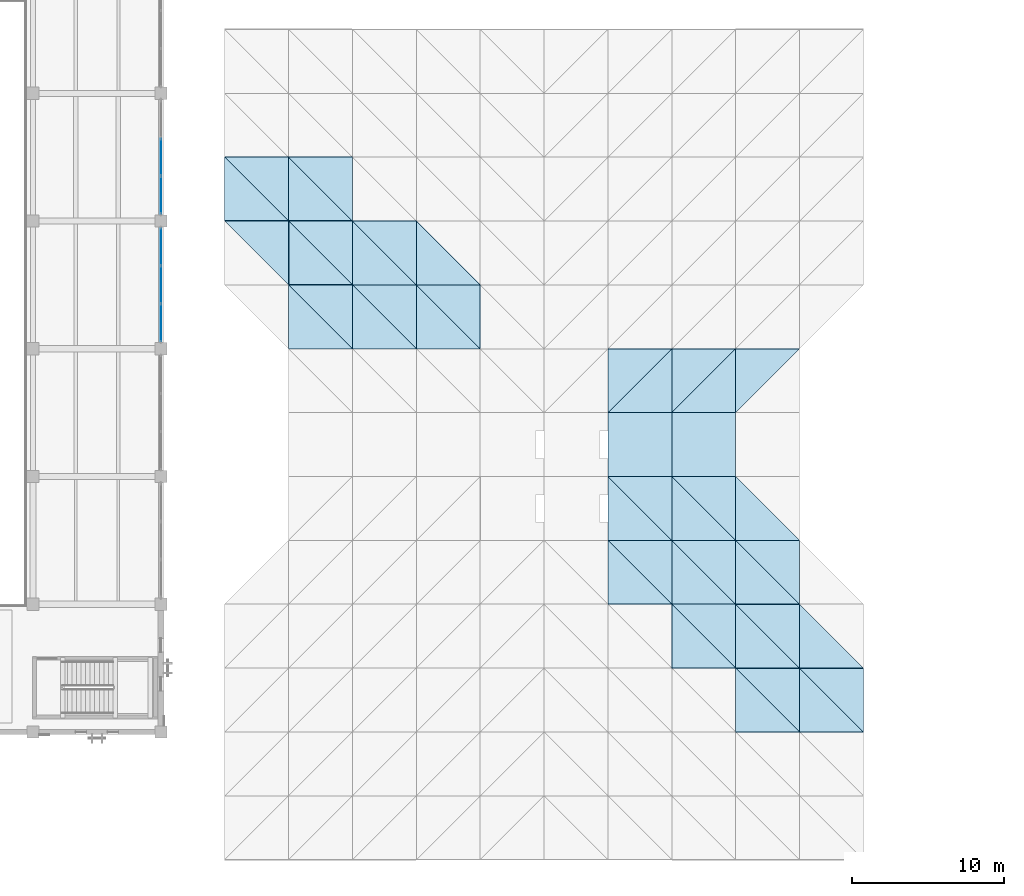
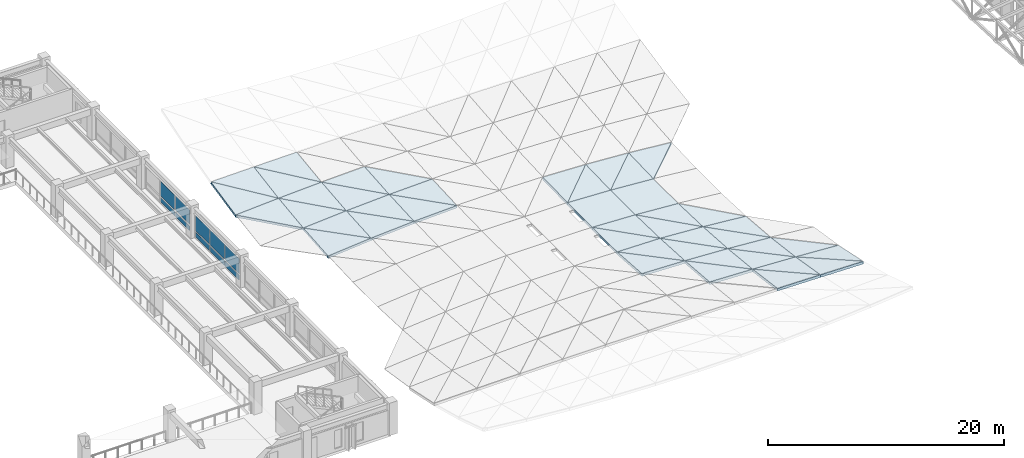
# One storey, part 64 of 123: 43 slabs, 10 plates, 2 elements without a shape of their own.
"""IFC4 building model written with IfcOpenShell, lengths in metres."""

from ifc_helpers import new_model, si_unit, direction, frame, origin, origin_2d, place, context, subcontext, project, spatial, polyline, rectangle, outline, extrude, material, layer, layer_set, type_object, element, aggregate, save


model = new_model("IFC4")

# Units and contexts
model_context = context("Model", 3, precision=1e-05, world=origin(), true_north=direction((0.0, 1.0)))
body_context = subcontext(model_context, "Body", "Model", "MODEL_VIEW")
ifc_project = project(units=[si_unit("LENGTHUNIT", "METRE"), si_unit("AREAUNIT", "SQUARE_METRE"), si_unit("VOLUMEUNIT", "CUBIC_METRE"), si_unit("PLANEANGLEUNIT", "RADIAN"), si_unit("MASSUNIT", "GRAM", prefix="KILO")], contexts=[model_context])

# Site, building, storey
site_placement = place(None, origin())
site = spatial("IfcSite", under=ifc_project, at=site_placement, CompositionType="ELEMENT")
building_placement = place(site_placement, origin())
building = spatial("IfcBuilding", under=site, at=building_placement, Name="Cumbredor Promenade Congress Hotel", CompositionType="ELEMENT")
storey_placement = place(building_placement, frame((0.0, 0.0, 11.760009765625)))
storey = spatial("IfcBuildingStorey", under=building, at=storey_placement, Name="L03", CompositionType="ELEMENT", Elevation=11.760009765625)

# Curtain wall, plates
ifc_material_1 = material(Name="Thermally broken anodized aluminium and low-E glass", Category="aluminium")
curtain_wall_type = type_object("IfcCurtainWallType", Name="Unitised Bronze Curtain Wall CW-01", PredefinedType="NOTDEFINED", material=ifc_material_1)
curtain_wall_1_placement = place(storey_placement, origin())
curtain_wall_1 = element("IfcCurtainWall", 1, at=curtain_wall_1_placement, inside=storey, type_object=curtain_wall_type, Name="L03 Plenary Congress Hall East Curtain Wall 4", PredefinedType="NOTDEFINED")
ifc_material_2 = material(Name="Laminated low-E solar-control glass", Category="glass")
ifc_layer_1 = layer(ifc_material_2, 0.031982421875, Name="Laminated low-E solar-control glass", Category="glass")
ifc_layer_set_1 = layer_set([ifc_layer_1], Name="Laminated low-E solar-control glass")
plate_type_1 = type_object("IfcPlateType", Name="Glazed Vision Panel PNL-02", PredefinedType="CURTAIN_PANEL", material=ifc_layer_set_1)
plate_1_placement = place(storey_placement, frame((67.199951171875, 35.303466796875, 0.794921875), z_axis=(0.0, 0.0, 1.0), x_axis=(0.0, 1.0, 0.0)))
plate_1 = element("IfcPlate", 2, at=plate_1_placement, type_object=plate_type_1, Name="L03 Plenary Congress Hall East Curtain Wall 4 Glazing Panel 1.2", PredefinedType="CURTAIN_PANEL", context=body_context, shape_type="SweptSolid", body=[
    extrude(rectangle(XDim=2.421630859375, YDim=0.031982421875, at=origin_2d()), origin(), (0.0, 0.0, 1.0), 1.550048828125),
])
plate_2_placement = place(storey_placement, frame((67.199951171875, 37.800048828125, 0.794921875), z_axis=(0.0, 0.0, 1.0), x_axis=(0.0, 1.0, 0.0)))
plate_2 = element("IfcPlate", 3, at=plate_2_placement, type_object=plate_type_1, Name="L03 Plenary Congress Hall East Curtain Wall 4 Glazing Panel 2.2", PredefinedType="CURTAIN_PANEL", context=body_context, shape_type="SweptSolid", body=[
    extrude(rectangle(XDim=2.421630859375, YDim=0.031982421875, at=origin_2d()), origin(), (0.0, 0.0, 1.0), 1.550048828125),
])
plate_3_placement = place(storey_placement, frame((67.199951171875, 40.296630859375, 0.794921875), z_axis=(0.0, 0.0, 1.0), x_axis=(0.0, 1.0, 0.0)))
plate_3 = element("IfcPlate", 4, at=plate_3_placement, type_object=plate_type_1, Name="L03 Plenary Congress Hall East Curtain Wall 4 Glazing Panel 3.2", PredefinedType="CURTAIN_PANEL", context=body_context, shape_type="SweptSolid", body=[
    extrude(rectangle(XDim=2.421630859375, YDim=0.031982421875, at=origin_2d()), origin(), (0.0, 0.0, 1.0), 1.550048828125),
])

curtain_wall_2_placement = place(storey_placement, origin())
curtain_wall_2 = element("IfcCurtainWall", 5, at=curtain_wall_2_placement, inside=storey, type_object=curtain_wall_type, Name="L03 Plenary Congress Hall East Curtain Wall 5", PredefinedType="NOTDEFINED")
ifc_layer_2 = layer(ifc_material_2, 0.028076171875, Name="Laminated low-E solar-control glass", Category="glass")
ifc_layer_set_2 = layer_set([ifc_layer_2], Name="Laminated low-E solar-control glass")
plate_type_2 = type_object("IfcPlateType", Name="Glazed Vision Panel PNL-03", PredefinedType="CURTAIN_PANEL", material=ifc_layer_set_2)
plate_4_placement = place(storey_placement, frame((67.199951171875, 43.703369140625, 0.81005859375), z_axis=(0.0, 0.0, 1.0), x_axis=(0.0, 1.0, 0.0)))
plate_4 = element("IfcPlate", 6, at=plate_4_placement, type_object=plate_type_2, Name="L03 Plenary Congress Hall East Curtain Wall 5 Glazing Panel 1.2", PredefinedType="CURTAIN_PANEL", context=body_context, shape_type="SweptSolid", body=[
    extrude(rectangle(XDim=2.416748046875, YDim=0.028076171875, at=origin_2d()), origin(), (0.0, 0.0, 1.0), 1.5),
])
plate_5_placement = place(storey_placement, frame((67.199951171875, 46.199951171875, 0.81005859375), z_axis=(0.0, 0.0, 1.0), x_axis=(0.0, 1.0, 0.0)))
plate_5 = element("IfcPlate", 7, at=plate_5_placement, type_object=plate_type_2, Name="L03 Plenary Congress Hall East Curtain Wall 5 Glazing Panel 2.2", PredefinedType="CURTAIN_PANEL", context=body_context, shape_type="SweptSolid", body=[
    extrude(rectangle(XDim=2.41650390625, YDim=0.028076171875, at=origin_2d()), origin(), (0.0, 0.0, 1.0), 1.5),
])
ifc_material_3 = material(Name="Thermally broken anodized aluminium", Category="aluminium")
ifc_layer_3 = layer(ifc_material_3, 0.0400390625, Name="Thermally broken anodized aluminium", Category="aluminium")
ifc_layer_set_3 = layer_set([ifc_layer_3], Name="Thermally broken anodized aluminium")
plate_type_3 = type_object("IfcPlateType", Name="Insulated Spandrel Panel PNL-05", PredefinedType="CURTAIN_PANEL", material=ifc_layer_set_3)
plate_6_placement = place(storey_placement, frame((67.199951171875, 43.703369140625, 0.18017578125), z_axis=(0.0, 0.0, 1.0), x_axis=(0.0, 1.0, 0.0)))
plate_6 = element("IfcPlate", 8, at=plate_6_placement, type_object=plate_type_3, Name="L03 Plenary Congress Hall East Curtain Wall 5 Spandrel Panel 1.1", PredefinedType="CURTAIN_PANEL", context=body_context, shape_type="SweptSolid", body=[
    extrude(rectangle(XDim=2.416748046875, YDim=0.0400390625, at=origin_2d()), origin(), (0.0, 0.0, 1.0), 0.449951171875),
])
plate_7_placement = place(storey_placement, frame((67.199951171875, 46.199951171875, 0.18017578125), z_axis=(0.0, 0.0, 1.0), x_axis=(0.0, 1.0, 0.0)))
plate_7 = element("IfcPlate", 9, at=plate_7_placement, type_object=plate_type_3, Name="L03 Plenary Congress Hall East Curtain Wall 5 Spandrel Panel 2.1", PredefinedType="CURTAIN_PANEL", context=body_context, shape_type="SweptSolid", body=[
    extrude(rectangle(XDim=2.41650390625, YDim=0.0400390625, at=origin_2d()), origin(), (0.0, 0.0, 1.0), 0.449951171875),
])
aggregate(curtain_wall_2, [plate_6, plate_4, plate_7, plate_5])

# Plate
ifc_layer_4 = layer(ifc_material_3, 0.0400390625, Name="Thermally broken anodized aluminium", Category="aluminium")
ifc_layer_set_4 = layer_set([ifc_layer_4], Name="Thermally broken anodized aluminium")
plate_type_4 = type_object("IfcPlateType", Name="Insulated Spandrel Panel PNL-06", PredefinedType="CURTAIN_PANEL", material=ifc_layer_set_4)
plate_8_placement = place(storey_placement, frame((67.199951171875, 35.303466796875, 0.14501953125), z_axis=(0.0, 0.0, 1.0), x_axis=(0.0, 1.0, 0.0)))
plate_8 = element("IfcPlate", 10, at=plate_8_placement, type_object=plate_type_4, Name="L03 Plenary Congress Hall East Curtain Wall 4 Spandrel Panel 1.1", PredefinedType="CURTAIN_PANEL", context=body_context, shape_type="SweptSolid", body=[
    extrude(rectangle(XDim=2.421630859375, YDim=0.0400390625, at=origin_2d()), origin(), (0.0, 0.0, 1.0), 0.5),
])

plate_9_placement = place(storey_placement, frame((67.199951171875, 37.800048828125, 0.14501953125), z_axis=(0.0, 0.0, 1.0), x_axis=(0.0, 1.0, 0.0)))
plate_9 = element("IfcPlate", 11, at=plate_9_placement, type_object=plate_type_4, Name="L03 Plenary Congress Hall East Curtain Wall 4 Spandrel Panel 2.1", PredefinedType="CURTAIN_PANEL", context=body_context, shape_type="SweptSolid", body=[
    extrude(rectangle(XDim=2.421630859375, YDim=0.0400390625, at=origin_2d()), origin(), (0.0, 0.0, 1.0), 0.5),
])

plate_10_placement = place(storey_placement, frame((67.199951171875, 40.296630859375, 0.14501953125), z_axis=(0.0, 0.0, 1.0), x_axis=(0.0, 1.0, 0.0)))
plate_10 = element("IfcPlate", 12, at=plate_10_placement, type_object=plate_type_4, Name="L03 Plenary Congress Hall East Curtain Wall 4 Spandrel Panel 3.1", PredefinedType="CURTAIN_PANEL", context=body_context, shape_type="SweptSolid", body=[
    extrude(rectangle(XDim=2.421630859375, YDim=0.0400390625, at=origin_2d()), origin(), (0.0, 0.0, 1.0), 0.5),
])

aggregate(curtain_wall_1, [plate_8, plate_1, plate_9, plate_2, plate_10, plate_3])

# Slabs
ifc_material_4 = material(Name="Concrete C40/50", Category="concrete")
ifc_layer_5 = layer(ifc_material_4, 0.2451171875, Name="Concrete C40/50", Category="concrete")
ifc_layer_set_5 = layer_set([ifc_layer_5], Name="Concrete C40/50")
slab_type = type_object("IfcSlabType", Name="Spa Catenary Roof Deck 245mm", PredefinedType="ROOF", material=ifc_layer_set_5)
slab_1_placement = place(storey_placement, frame((75.60009765625, 37.800048828125, 0.33154296875), z_axis=(-0.060844105391, -0.12480386787, 0.990314086239), x_axis=(0.0, 0.992152265457, 0.125035523543)))
element("IfcSlab", 13, at=slab_1_placement, inside=storey, type_object=slab_type, Name="Thermal Spa and Hydrotherapy Pavilion Sweeping Roof Deck Facet 1.10.2", PredefinedType="ROOF", context=body_context, shape_type="SweptSolid", body=[
    extrude(outline(polyline([(0.0, 0.0), (4.233171981861705, -6.938893903907228e-18), (4.200905734697389, 4.207991537801801), (0.0, 0.0)])), origin(), (0.0, 0.0, -1.0), 0.2451171875),
])
slab_2_placement = place(storey_placement, frame((71.39990234375, 42.0, 0.602783203125), z_axis=(-0.059996569597, -0.20690653581, 0.976519378751), x_axis=(0.998117938936, 0.0, 0.06132356786)))
element("IfcSlab", 14, at=slab_2_placement, inside=storey, type_object=slab_type, Name="Thermal Spa and Hydrotherapy Pavilion Sweeping Roof Deck Facet 1.11.1", PredefinedType="ROOF", context=body_context, shape_type="SweptSolid", body=[
    extrude(outline(polyline([(0.0, 0.0), (4.208115242352285, 0.0), (0.054571387902316665, 4.292845281437308), (0.0, 0.0)])), origin(), (0.0, 0.0, -1.0), 0.2451171875),
])
slab_3_placement = place(storey_placement, frame((75.60009765625, 42.0, 0.86083984375), z_axis=(-0.017423144155, -0.165758756263, 0.98601240802), x_axis=(0.0, 0.986162102, 0.16578392135)))
element("IfcSlab", 15, at=slab_3_placement, inside=storey, type_object=slab_type, Name="Thermal Spa and Hydrotherapy Pavilion Sweeping Roof Deck Facet 1.11.2", PredefinedType="ROOF", context=body_context, shape_type="SweptSolid", body=[
    extrude(outline(polyline([(0.0, 0.0), (4.258885190736528, 0.0), (4.246580915323828, 4.20083297582814), (0.0, 0.0)])), origin(), (0.0, 0.0, -1.0), 0.2451171875),
])
slab_4_placement = place(storey_placement, frame((75.60009765625, 33.60009765625, -0.021484375), z_axis=(-0.089767614884, -0.083421575271, 0.992462904142), x_axis=(0.995934387325, 0.0, 0.090081608247)))
element("IfcSlab", 16, at=slab_4_placement, inside=storey, type_object=slab_type, Name="Thermal Spa and Hydrotherapy Pavilion Sweeping Roof Deck Facet 2.9.1", PredefinedType="ROOF", context=body_context, shape_type="SweptSolid", body=[
    extrude(outline(polyline([(0.0, 0.0), (4.2170962518499735, 0.0), (0.03180127088024675, 4.21464195759732), (0.0, 0.0)])), origin(), (0.0, 0.0, -1.0), 0.2451171875),
])
slab_5_placement = place(storey_placement, frame((79.800048828125, 33.60009765625, 0.3583984375), z_axis=(-0.073000075678, -0.066637153076, 0.995103250312), x_axis=(0.0, 0.997765352938, 0.066815420949)))
element("IfcSlab", 17, at=slab_5_placement, inside=storey, type_object=slab_type, Name="Thermal Spa and Hydrotherapy Pavilion Sweeping Roof Deck Facet 2.9.2", PredefinedType="ROOF", context=body_context, shape_type="SweptSolid", body=[
    extrude(outline(polyline([(0.0, 0.0), (4.209357600469957, 3.469446951953614e-18), (4.188771403878756, 4.21118689142595), (0.0, 0.0)])), origin(), (0.0, 0.0, -1.0), 0.2451171875),
])
slab_6_placement = place(storey_placement, frame((75.60009765625, 37.800048828125, 0.33154296875), z_axis=(-0.072591572305, -0.124705648778, 0.989534721368), x_axis=(0.997320018789, 0.0, 0.073162696257)))
element("IfcSlab", 18, at=slab_6_placement, inside=storey, type_object=slab_type, Name="Thermal Spa and Hydrotherapy Pavilion Sweeping Roof Deck Facet 2.10.1", PredefinedType="ROOF", context=body_context, shape_type="SweptSolid", body=[
    extrude(outline(polyline([(0.0, 0.0), (4.211237208470671, 0.0), (0.038724786495465104, 4.232994852221041), (0.0, 0.0)])), origin(), (0.0, 0.0, -1.0), 0.2451171875),
])
slab_7_placement = place(storey_placement, frame((79.800048828125, 37.800048828125, 0.6396484375), z_axis=(-0.047546844319, -0.099888813886, 0.993861923235), x_axis=(0.0, 0.994987244627, 0.100001915129)))
element("IfcSlab", 19, at=slab_7_placement, inside=storey, type_object=slab_type, Name="Thermal Spa and Hydrotherapy Pavilion Sweeping Roof Deck Facet 2.10.2", PredefinedType="ROOF", context=body_context, shape_type="SweptSolid", body=[
    extrude(outline(polyline([(0.0, 0.0), (4.22111056654717, 0.0), (4.2010174083071865, 4.204706656304005), (0.0, 0.0)])), origin(), (0.0, 0.0, -1.0), 0.2451171875),
])
slab_8_placement = place(storey_placement, frame((75.60009765625, 42.0, 0.86083984375), z_axis=(-0.047126063418, -0.165599727101, 0.985066426456), x_axis=(0.998857604206, 0.0, 0.047785840159)))
element("IfcSlab", 20, at=slab_8_placement, inside=storey, type_object=slab_type, Name="Thermal Spa and Hydrotherapy Pavilion Sweeping Roof Deck Facet 2.11.1", PredefinedType="ROOF", context=body_context, shape_type="SweptSolid", body=[
    extrude(outline(polyline([(0.0, 0.0), (4.204754665919911, 0.0), (0.033739416440646576, 4.258751544719785), (0.0, 0.0)])), origin(), (0.0, 0.0, -1.0), 0.2451171875),
])
slab_9_placement = place(storey_placement, frame((79.800048828125, 42.0, 1.061767578125), z_axis=(-0.01359577095, -0.132789203556, 0.991051049357), x_axis=(0.0, 0.991142657467, 0.132801477967)))
element("IfcSlab", 21, at=slab_9_placement, inside=storey, type_object=slab_type, Name="Thermal Spa and Hydrotherapy Pavilion Sweeping Roof Deck Facet 2.11.2", PredefinedType="ROOF", context=body_context, shape_type="SweptSolid", body=[
    extrude(outline(polyline([(0.0, 0.0), (4.237484019314049, 0.0), (4.229832371657768, 4.200339395658134), (0.0, 0.0)])), origin(), (0.0, 0.0, -1.0), 0.2451171875),
])
slab_10_placement = place(storey_placement, frame((79.800048828125, 33.60009765625, 0.3583984375), z_axis=(-0.064246438224, -0.066677384535, 0.995704033118), x_axis=(0.997924828039, 0.0, 0.064389731973)))
element("IfcSlab", 22, at=slab_10_placement, inside=storey, type_object=slab_type, Name="Thermal Spa and Hydrotherapy Pavilion Sweeping Roof Deck Facet 3.9.1", PredefinedType="ROOF", context=body_context, shape_type="SweptSolid", body=[
    extrude(outline(polyline([(0.0, 0.0), (4.208684916807379, 0.0), (0.01810961211727026, 4.209318644458167), (0.0, 0.0)])), origin(), (0.0, 0.0, -1.0), 0.2451171875),
])
slab_11_placement = place(storey_placement, frame((84.0, 33.60009765625, 0.62939453125), z_axis=(-0.052282348828, -0.054716781922, 0.997132202758), x_axis=(0.0, 0.998497805514, 0.054791718212)))
element("IfcSlab", 23, at=slab_11_placement, inside=storey, type_object=slab_type, Name="Thermal Spa and Hydrotherapy Pavilion Sweeping Roof Deck Facet 3.9.2", PredefinedType="ROOF", context=body_context, shape_type="SweptSolid", body=[
    extrude(outline(polyline([(0.0, 0.0), (4.206269807187926, 1.734723475976807e-18), (4.1942038575230285, 4.205703132224231), (0.0, 0.0)])), origin(), (0.0, 0.0, -1.0), 0.2451171875),
])
slab_12_placement = place(storey_placement, frame((79.800048828125, 37.800048828125, 0.6396484375), z_axis=(-0.052099032144, -0.099866104852, 0.993635975572), x_axis=(0.998628232976, 0.0, 0.052360789754)))
element("IfcSlab", 24, at=slab_12_placement, inside=storey, type_object=slab_type, Name="Thermal Spa and Hydrotherapy Pavilion Sweeping Roof Deck Facet 3.10.1", PredefinedType="ROOF", context=body_context, shape_type="SweptSolid", body=[
    extrude(outline(polyline([(0.0, 0.0), (4.2057204404884105, 0.0), (0.022102491573553942, 4.221052699846617), (0.0, 0.0)])), origin(), (0.0, 0.0, -1.0), 0.2451171875),
])
slab_13_placement = place(storey_placement, frame((84.0, 37.800048828125, 0.85986328125), z_axis=(-0.033987624499, -0.081871381671, 0.996063209964), x_axis=(0.0, 0.996639014372, 0.081918709895)))
element("IfcSlab", 25, at=slab_13_placement, inside=storey, type_object=slab_type, Name="Thermal Spa and Hydrotherapy Pavilion Sweeping Roof Deck Facet 3.10.2", PredefinedType="ROOF", context=body_context, shape_type="SweptSolid", body=[
    extrude(outline(polyline([(0.0, 0.0), (4.214114750986205, 0.0), (4.202374935871867, 4.202379080440135), (0.0, 0.0)])), origin(), (0.0, 0.0, -1.0), 0.2451171875),
])
slab_14_placement = place(storey_placement, frame((84.0, 33.60009765625, 0.62939453125), z_axis=(-0.038685084273, -0.054750703979, 0.997750381944), x_axis=(0.999249200496, 0.0, 0.038743196927)))
element("IfcSlab", 26, at=slab_14_placement, inside=storey, type_object=slab_type, Name="Thermal Spa and Hydrotherapy Pavilion Sweeping Roof Deck Facet 4.9.1", PredefinedType="ROOF", context=body_context, shape_type="SweptSolid", body=[
    extrude(outline(polyline([(0.0, 0.0), (4.203106862422566, 0.0), (0.008929096166711269, 4.206260329806323), (0.0, 0.0)])), origin(), (0.0, 0.0, -1.0), 0.2451171875),
])
slab_15_placement = place(storey_placement, frame((88.199951171875, 33.60009765625, 0.792236328125), z_axis=(-0.031339133203, -0.047414947828, 0.998383534246), x_axis=(0.0, 0.998874172518, 0.047438249081)))
element("IfcSlab", 27, at=slab_15_placement, inside=storey, type_object=slab_type, Name="Thermal Spa and Hydrotherapy Pavilion Sweeping Roof Deck Facet 4.9.2", PredefinedType="ROOF", context=body_context, shape_type="SweptSolid", body=[
    extrude(outline(polyline([(0.0, 0.0), (4.204684921711812, -8.673617379884035e-19), (4.198430855670806, 4.202015165037919), (0.0, 0.0)])), origin(), (0.0, 0.0, -1.0), 0.2451171875),
])
slab_16_placement = place(storey_placement, frame((84.0, 37.800048828125, 0.85986328125), z_axis=(-0.031269074977, -0.081878651885, 0.996151660801), x_axis=(0.999507701685, 0.0, 0.031374420677)))
element("IfcSlab", 28, at=slab_16_placement, inside=storey, type_object=slab_type, Name="Thermal Spa and Hydrotherapy Pavilion Sweeping Roof Deck Facet 4.10.1", PredefinedType="ROOF", context=body_context, shape_type="SweptSolid", body=[
    extrude(outline(polyline([(0.0, 0.0), (4.202019819152533, 1.734723475976807e-18), (0.010830915731824441, 4.214100832413), (0.0, 0.0)])), origin(), (0.0, 0.0, -1.0), 0.2451171875),
])
slab_17_placement = place(storey_placement, frame((96.60009765625, 16.800048828125, 0.99169921875), z_axis=(0.031295126423, 0.071051527769, 0.99698159234), x_axis=(0.999507701685, 0.0, -0.031374420677)))
element("IfcSlab", 29, at=slab_17_placement, inside=storey, type_object=slab_type, Name="Thermal Spa and Hydrotherapy Pavilion Sweeping Roof Deck Facet 7.5.1", PredefinedType="ROOF", context=body_context, shape_type="SweptSolid", body=[
    extrude(outline(polyline([(0.0, 0.0), (4.202019819152533, -1.734723475976807e-18), (0.009390878845273525, 4.210592828638161), (0.0, 0.0)])), origin(), (0.0, 0.0, -1.0), 0.2451171875),
])
slab_18_placement = place(storey_placement, frame((100.800048828125, 16.800048828125, 0.85986328125), z_axis=(0.014973176444, 0.054785575826, 0.998385869626), x_axis=(0.0, 0.998497805514, -0.054791718212)))
element("IfcSlab", 30, at=slab_18_placement, inside=storey, type_object=slab_type, Name="Thermal Spa and Hydrotherapy Pavilion Sweeping Roof Deck Facet 7.5.2", PredefinedType="ROOF", context=body_context, shape_type="SweptSolid", body=[
    extrude(outline(polyline([(0.0, 0.0), (4.206269807187926, 0.0), (4.2028185710310035, 4.200422057207824), (0.0, 0.0)])), origin(), (0.0, 0.0, -1.0), 0.2451171875),
])
slab_19_placement = place(storey_placement, frame((96.60009765625, 21.0, 0.6923828125), z_axis=(0.014995697844, 0.0, 0.999887558202), x_axis=(0.999887558202, 0.0, -0.014995697844)))
element("IfcSlab", 31, at=slab_19_placement, inside=storey, type_object=slab_type, Name="Thermal Spa and Hydrotherapy Pavilion Sweeping Roof Deck Facet 7.6.1", PredefinedType="ROOF", context=body_context, shape_type="SweptSolid", body=[
    extrude(outline(polyline([(0.0, 0.0), (4.200423475044988, 0.0), (0.0, 4.199951171875001), (0.0, 0.0)])), origin(), (0.0, 0.0, -1.0), 0.2451171875),
])
slab_20_placement = place(storey_placement, frame((100.800048828125, 21.0, 0.62939453125), z_axis=(0.042322500942, 0.027344167275, 0.99872974444), x_axis=(0.0, 0.999625407256, -0.027368689578)))
element("IfcSlab", 32, at=slab_20_placement, inside=storey, type_object=slab_type, Name="Thermal Spa and Hydrotherapy Pavilion Sweeping Roof Deck Facet 7.6.2", PredefinedType="ROOF", context=body_context, shape_type="SweptSolid", body=[
    extrude(outline(polyline([(0.0, 0.0), (4.201525032667996, 8.673617379884035e-19), (4.196653993922229, 4.203717696413474), (0.0, 0.0)])), origin(), (0.0, 0.0, -1.0), 0.2451171875),
])
slab_21_placement = place(storey_placement, frame((96.60009765625, 25.199951171875, 0.6923828125), z_axis=(0.042338332161, 0.0, 0.999103330807), x_axis=(0.999103330807, 0.0, -0.042338332161)))
element("IfcSlab", 33, at=slab_21_placement, inside=storey, type_object=slab_type, Name="Thermal Spa and Hydrotherapy Pavilion Sweeping Roof Deck Facet 7.7", PredefinedType="ROOF", context=body_context, shape_type="SweptSolid", body=[
    extrude(outline(polyline([(0.0, 0.0), (4.203720518559513, 0.0), (4.203720518559513, 4.199951171875), (0.0, 4.199951171875), (0.0, 0.0)])), origin(), (0.0, 0.0, -1.0), 0.2451171875),
])
slab_22_placement = place(storey_placement, frame((96.60009765625, 29.39990234375, 0.6923828125), z_axis=(0.042322502781, -0.027342579056, 0.998729787845), x_axis=(0.999103330807, 0.0, -0.042338332161)))
element("IfcSlab", 34, at=slab_22_placement, inside=storey, type_object=slab_type, Name="Thermal Spa and Hydrotherapy Pavilion Sweeping Roof Deck Facet 7.8.1", PredefinedType="ROOF", context=body_context, shape_type="SweptSolid", body=[
    extrude(outline(polyline([(0.0, 0.0), (4.203720518559513, 0.0), (4.198852023821322, 4.201766261336721), (0.0, 0.0)])), origin(), (0.0, 0.0, -1.0), 0.2451171875),
])
slab_23_placement = place(storey_placement, frame((96.60009765625, 29.39990234375, 0.6923828125), z_axis=(0.038732269521, -0.023748991651, 0.998967365179), x_axis=(0.707046475575, 0.707087575759, -0.010603847625)))
element("IfcSlab", 35, at=slab_23_placement, inside=storey, type_object=slab_type, Name="Thermal Spa and Hydrotherapy Pavilion Sweeping Roof Deck Facet 7.8.2", PredefinedType="ROOF", context=body_context, shape_type="SweptSolid", body=[
    extrude(outline(polyline([(0.0, 0.0), (5.940134513027124, -3.0401028916493544e-16), (2.9688470897663084, 2.9728031124371093), (0.0, 0.0)])), origin(), (0.0, 0.0, -1.0), 0.2451171875),
])
slab_24_placement = place(storey_placement, frame((100.800048828125, 12.60009765625, 1.205078125), z_axis=(0.033987624499, 0.081871381671, 0.996063209964), x_axis=(0.999418353939, 0.0, -0.034102108572)))
element("IfcSlab", 36, at=slab_24_placement, inside=storey, type_object=slab_type, Name="Thermal Spa and Hydrotherapy Pavilion Sweeping Roof Deck Facet 8.4.1", PredefinedType="ROOF", context=body_context, shape_type="SweptSolid", body=[
    extrude(outline(polyline([(0.0, 0.0), (4.202395478650219, -1.734723475976807e-18), (0.0117725540821947, 4.214098307046231), (0.0, 0.0)])), origin(), (0.0, 0.0, -1.0), 0.2451171875),
])
slab_25_placement = place(storey_placement, frame((105.0, 12.60009765625, 1.061767578125), z_axis=(0.052099032144, 0.099866104852, 0.993635975572), x_axis=(0.0, 0.994987244627, -0.100001915129)))
element("IfcSlab", 37, at=slab_25_placement, inside=storey, type_object=slab_type, Name="Thermal Spa and Hydrotherapy Pavilion Sweeping Roof Deck Facet 8.4.2", PredefinedType="ROOF", context=body_context, shape_type="SweptSolid", body=[
    extrude(outline(polyline([(0.0, 0.0), (4.22111056654717, 0.0), (4.1990886604323885, 4.205662784769257), (0.0, 0.0)])), origin(), (0.0, 0.0, -1.0), 0.2451171875),
])
slab_26_placement = place(storey_placement, frame((100.800048828125, 16.800048828125, 0.85986328125), z_axis=(0.052282348828, 0.054716781922, 0.997132202758), x_axis=(0.998628232976, 0.0, -0.052360789754)))
element("IfcSlab", 38, at=slab_26_placement, inside=storey, type_object=slab_type, Name="Thermal Spa and Hydrotherapy Pavilion Sweeping Roof Deck Facet 8.5.1", PredefinedType="ROOF", context=body_context, shape_type="SweptSolid", body=[
    extrude(outline(polyline([(0.0, 0.0), (4.2057204404884105, 1.734723475976807e-18), (0.012067525763698624, 4.206252496662877), (0.0, 0.0)])), origin(), (0.0, 0.0, -1.0), 0.2451171875),
])
slab_27_placement = place(storey_placement, frame((105.0, 16.800048828125, 0.6396484375), z_axis=(0.064246438224, 0.066677384535, 0.995704033118), x_axis=(0.0, 0.997765352938, -0.066815420949)))
element("IfcSlab", 39, at=slab_27_placement, inside=storey, type_object=slab_type, Name="Thermal Spa and Hydrotherapy Pavilion Sweeping Roof Deck Facet 8.5.2", PredefinedType="ROOF", context=body_context, shape_type="SweptSolid", body=[
    extrude(outline(polyline([(0.0, 0.0), (4.209357600469957, 3.469446951953614e-18), (4.191250882390533, 4.208645967021026), (0.0, 0.0)])), origin(), (0.0, 0.0, -1.0), 0.2451171875),
])
slab_28_placement = place(storey_placement, frame((100.800048828125, 21.0, 0.62939453125), z_axis=(0.064365711992, 0.027311937251, 0.997552561624), x_axis=(0.997924828039, 0.0, -0.064389731973)))
element("IfcSlab", 40, at=slab_28_placement, inside=storey, type_object=slab_type, Name="Thermal Spa and Hydrotherapy Pavilion Sweeping Roof Deck Facet 8.6.1", PredefinedType="ROOF", context=body_context, shape_type="SweptSolid", body=[
    extrude(outline(polyline([(0.0, 0.0), (4.208684916807379, 0.0), (0.0074041903708631, 4.2015185085990945), (0.0, 0.0)])), origin(), (0.0, 0.0, -1.0), 0.2451171875),
])
slab_29_placement = place(storey_placement, frame((105.0, 21.0, 0.3583984375), z_axis=(0.070469987369, 0.033438472625, 0.996953283474), x_axis=(0.0, 0.999437986157, -0.033521811196)))
element("IfcSlab", 41, at=slab_29_placement, inside=storey, type_object=slab_type, Name="Thermal Spa and Hydrotherapy Pavilion Sweeping Roof Deck Facet 8.6.2", PredefinedType="ROOF", context=body_context, shape_type="SweptSolid", body=[
    extrude(outline(polyline([(0.0, 0.0), (4.2023129299130755, 1.734723475976807e-18), (4.192361142214126, 4.2104186933938985), (0.0, 0.0)])), origin(), (0.0, 0.0, -1.0), 0.2451171875),
])
slab_30_placement = place(storey_placement, frame((100.800048828125, 25.199951171875, 0.514404296875), z_axis=(0.070509417793, 0.0, 0.997511113724), x_axis=(0.997511113724, 0.0, -0.070509417793)))
element("IfcSlab", 42, at=slab_30_placement, inside=storey, type_object=slab_type, Name="Thermal Spa and Hydrotherapy Pavilion Sweeping Roof Deck Facet 8.7", PredefinedType="ROOF", context=body_context, shape_type="SweptSolid", body=[
    extrude(outline(polyline([(0.0, 0.0), (4.2104304544499, 0.0), (4.2104304544499, 4.199951171875001), (0.0, 4.199951171875001), (0.0, 0.0)])), origin(), (0.0, 0.0, -1.0), 0.2451171875),
])
slab_31_placement = place(storey_placement, frame((100.800048828125, 29.39990234375, 0.514404296875), z_axis=(0.070469991949, -0.033436531153, 0.996953348266), x_axis=(0.997511113724, 0.0, -0.070509417793)))
element("IfcSlab", 43, at=slab_31_placement, inside=storey, type_object=slab_type, Name="Thermal Spa and Hydrotherapy Pavilion Sweeping Roof Deck Facet 8.8.1", PredefinedType="ROOF", context=body_context, shape_type="SweptSolid", body=[
    extrude(outline(polyline([(0.0, 0.0), (4.2104304544499, 0.0), (4.20049785335947, 4.20254519563597), (0.0, 0.0)])), origin(), (0.0, 0.0, -1.0), 0.2451171875),
])
slab_32_placement = place(storey_placement, frame((100.800048828125, 29.39990234375, 0.514404296875), z_axis=(0.064365714783, -0.027310350901, 0.997552604876), x_axis=(0.706842473333, 0.706883561659, -0.026255440357)))
element("IfcSlab", 44, at=slab_32_placement, inside=storey, type_object=slab_type, Name="Thermal Spa and Hydrotherapy Pavilion Sweeping Roof Deck Facet 8.8.2", PredefinedType="ROOF", context=body_context, shape_type="SweptSolid", body=[
    extrude(outline(polyline([(0.0, 0.0), (5.941848898906844, -9.8879238130678e-17), (2.9660299029239696, 2.976160283336469), (0.0, 0.0)])), origin(), (0.0, 0.0, -1.0), 0.2451171875),
])
slab_33_placement = place(storey_placement, frame((105.0, 8.39990234375, 1.62451171875), z_axis=(0.013595784884, 0.132781621137, 0.991052065091), x_axis=(0.999905914145, 0.0, -0.013717246744)))
element("IfcSlab", 45, at=slab_33_placement, inside=storey, type_object=slab_type, Name="Thermal Spa and Hydrotherapy Pavilion Sweeping Roof Deck Facet 9.3.1", PredefinedType="ROOF", context=body_context, shape_type="SweptSolid", body=[
    extrude(outline(polyline([(0.0, 0.0), (4.2003463650548625, 0.0), (0.007719300230730732, 4.237718967010282), (0.0, 0.0)])), origin(), (0.0, 0.0, -1.0), 0.2451171875),
])
slab_34_placement = place(storey_placement, frame((109.199951171875, 8.39990234375, 1.56689453125), z_axis=(0.047126138535, 0.165590365392, 0.985067996615), x_axis=(0.0, 0.986163677405, -0.165774549817)))
element("IfcSlab", 46, at=slab_34_placement, inside=storey, type_object=slab_type, Name="Thermal Spa and Hydrotherapy Pavilion Sweeping Roof Deck Facet 9.3.2", PredefinedType="ROOF", context=body_context, shape_type="SweptSolid", body=[
    extrude(outline(polyline([(0.0, 0.0), (4.259125953160777, 0.0), (4.22581724844897, 4.2046227334644035), (0.0, 0.0)])), origin(), (0.0, 0.0, -1.0), 0.2451171875),
])
slab_35_placement = place(storey_placement, frame((105.0, 12.60009765625, 1.061767578125), z_axis=(0.047546844319, 0.099888813886, 0.993861923235), x_axis=(0.998857604206, 0.0, -0.047785840159)))
element("IfcSlab", 47, at=slab_35_placement, inside=storey, type_object=slab_type, Name="Thermal Spa and Hydrotherapy Pavilion Sweeping Roof Deck Facet 9.4.1", PredefinedType="ROOF", context=body_context, shape_type="SweptSolid", body=[
    extrude(outline(polyline([(0.0, 0.0), (4.204754665919911, 0.0), (0.020171317782115467, 4.221062370180652), (0.0, 0.0)])), origin(), (0.0, 0.0, -1.0), 0.2451171875),
])
slab_36_placement = place(storey_placement, frame((109.199951171875, 12.60009765625, 0.86083984375), z_axis=(0.072591572305, 0.124705648778, 0.989534721368), x_axis=(0.0, 0.992152265457, -0.125035523543)))
element("IfcSlab", 48, at=slab_36_placement, inside=storey, type_object=slab_type, Name="Thermal Spa and Hydrotherapy Pavilion Sweeping Roof Deck Facet 9.4.2", PredefinedType="ROOF", context=body_context, shape_type="SweptSolid", body=[
    extrude(outline(polyline([(0.0, 0.0), (4.233171981861705, 0.0), (4.1946478532700615, 4.211060996652044), (0.0, 0.0)])), origin(), (0.0, 0.0, -1.0), 0.2451171875),
])
slab_37_placement = place(storey_placement, frame((105.0, 16.800048828125, 0.6396484375), z_axis=(0.073000075678, 0.066637153076, 0.995103250312), x_axis=(0.997320018789, 0.0, -0.073162696257)))
element("IfcSlab", 49, at=slab_37_placement, inside=storey, type_object=slab_type, Name="Thermal Spa and Hydrotherapy Pavilion Sweeping Roof Deck Facet 9.5.1", PredefinedType="ROOF", context=body_context, shape_type="SweptSolid", body=[
    extrude(outline(polyline([(0.0, 0.0), (4.211237208470671, -3.469446951953614e-18), (0.020577008322313562, 4.2093073058833195), (0.0, 0.0)])), origin(), (0.0, 0.0, -1.0), 0.2451171875),
])
slab_38_placement = place(storey_placement, frame((109.199951171875, 16.800048828125, 0.33154296875), z_axis=(0.089767614884, 0.083421575271, 0.992462904142), x_axis=(0.0, 0.996485979202, -0.083759735274)))
element("IfcSlab", 50, at=slab_38_placement, inside=storey, type_object=slab_type, Name="Thermal Spa and Hydrotherapy Pavilion Sweeping Roof Deck Facet 9.5.2", PredefinedType="ROOF", context=body_context, shape_type="SweptSolid", body=[
    extrude(outline(polyline([(0.0, 0.0), (4.214761932964823, 0.0), (4.182943049154506, 4.216976210034883), (0.0, 0.0)])), origin(), (0.0, 0.0, -1.0), 0.2451171875),
])
slab_39_placement = place(storey_placement, frame((105.0, 21.0, 0.3583984375), z_axis=(0.090031391617, 0.033385676711, 0.995379196645), x_axis=(0.995934387325, 0.0, -0.090081608247)))
element("IfcSlab", 51, at=slab_39_placement, inside=storey, type_object=slab_type, Name="Thermal Spa and Hydrotherapy Pavilion Sweeping Roof Deck Facet 9.6.1", PredefinedType="ROOF", context=body_context, shape_type="SweptSolid", body=[
    extrude(outline(polyline([(0.0, 0.0), (4.2170962518499735, -1.734723475976807e-18), (0.012689718739904824, 4.202293770306035), (0.0, 0.0)])), origin(), (0.0, 0.0, -1.0), 0.2451171875),
])
slab_40_placement = place(storey_placement, frame((105.0, 29.39990234375, 0.217529296875), z_axis=(0.090031397449, -0.033383738298, 0.995379261131), x_axis=(0.706514465215, 0.706555534474, -0.040206804711)))
element("IfcSlab", 52, at=slab_40_placement, inside=storey, type_object=slab_type, Name="Thermal Spa and Hydrotherapy Pavilion Sweeping Roof Deck Facet 9.8.2", PredefinedType="ROOF", context=body_context, shape_type="SweptSolid", body=[
    extrude(outline(polyline([(0.0, 0.0), (5.944607476076476, 4.40619762898109e-16), (2.9620073458935634, 2.9812744356734364), (0.0, 0.0)])), origin(), (0.0, 0.0, -1.0), 0.2451171875),
])
slab_41_placement = place(storey_placement, frame((109.199951171875, 8.39990234375, 1.56689453125), z_axis=(0.017424184471, 0.165749383148, 0.986013965308), x_axis=(0.999843898494, 0.0, -0.017668577873)))
element("IfcSlab", 53, at=slab_41_placement, inside=storey, type_object=slab_type, Name="Thermal Spa and Hydrotherapy Pavilion Sweeping Roof Deck Facet 10.3.1", PredefinedType="ROOF", context=body_context, shape_type="SweptSolid", body=[
    extrude(outline(polyline([(0.0, 0.0), (4.200606892936514, 0.0), (0.012474982228403117, 4.259107683506734), (0.0, 0.0)])), origin(), (0.0, 0.0, -1.0), 0.2451171875),
])
slab_42_placement = place(storey_placement, frame((113.39990234375, 8.39990234375, 1.49267578125), z_axis=(0.060000193906, 0.206894980687, 0.976521604317), x_axis=(0.0, 0.978284114805, -0.207268402608)))
element("IfcSlab", 54, at=slab_42_placement, inside=storey, type_object=slab_type, Name="Thermal Spa and Hydrotherapy Pavilion Sweeping Roof Deck Facet 10.3.2", PredefinedType="ROOF", context=body_context, shape_type="SweptSolid", body=[
    extrude(outline(polyline([(0.0, 0.0), (4.293430966458986, -6.938893903907228e-18), (4.239943978774296, 4.207531606304729), (0.0, 0.0)])), origin(), (0.0, 0.0, -1.0), 0.2451171875),
])
slab_43_placement = place(storey_placement, frame((109.199951171875, 12.60009765625, 0.86083984375), z_axis=(0.060847629128, 0.124803841012, 0.990313873122), x_axis=(0.99811772074, 0.0, -0.061327119155)))
element("IfcSlab", 55, at=slab_43_placement, inside=storey, type_object=slab_type, Name="Thermal Spa and Hydrotherapy Pavilion Sweeping Roof Deck Facet 10.4.1", PredefinedType="ROOF", context=body_context, shape_type="SweptSolid", body=[
    extrude(outline(polyline([(0.0, 0.0), (4.207871561241484, -6.938893903907228e-18), (0.03246025252146994, 4.233047526313069), (0.0, 0.0)])), origin(), (0.0, 0.0, -1.0), 0.2451171875),
])

save(model, "model.ifc")
